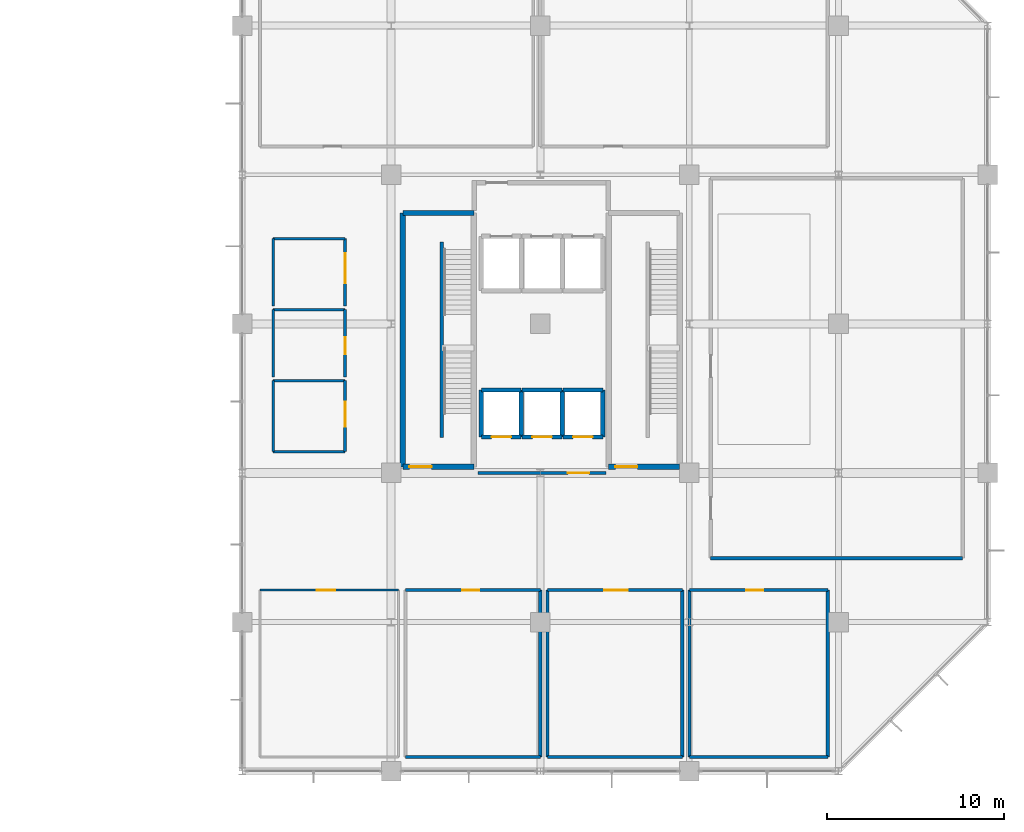
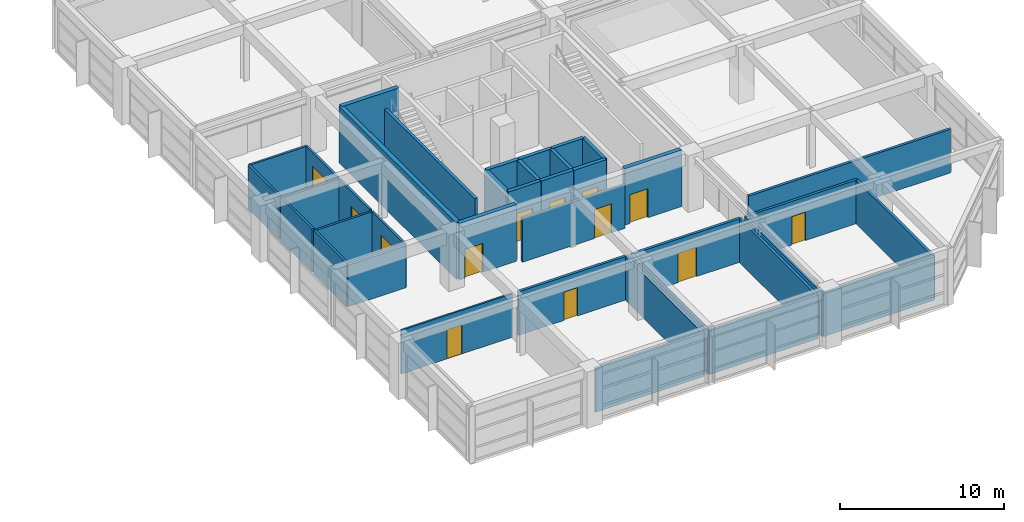
# One storey, part 16 of 19: 39 walls, 13 doors, 13 openings.
"""IFC4 building model written with IfcOpenShell, lengths in metres."""

from ifc_helpers import new_model, si_unit, direction, frame, frame_2d, origin, place, context, subcontext, project, spatial, rectangle, extrude, material, layer, layer_set, type_object, element, fill, save


model = new_model("IFC4")

# Units and contexts
model_context = context("Model", 3, precision=1e-05, world=origin(), true_north=direction((0.0, 1.0)))
body_context = subcontext(model_context, "Body", "Model", "MODEL_VIEW")
ifc_project = project(units=[si_unit("LENGTHUNIT", "METRE"), si_unit("AREAUNIT", "SQUARE_METRE"), si_unit("VOLUMEUNIT", "CUBIC_METRE"), si_unit("PLANEANGLEUNIT", "RADIAN"), si_unit("MASSUNIT", "GRAM", prefix="KILO")], contexts=[model_context])

# Site, building, storey
site_placement = place(None, origin())
site = spatial("IfcSite", under=ifc_project, at=site_placement, CompositionType="ELEMENT")
building_placement = place(site_placement, origin())
building = spatial("IfcBuilding", under=site, at=building_placement, Name="Xuanlan Plaza Opera House", CompositionType="ELEMENT")
storey_placement = place(building_placement, frame((0.0, 0.0, 36.300048828125)))
storey = spatial("IfcBuildingStorey", under=building, at=storey_placement, Name="L08", CompositionType="ELEMENT", Elevation=36.300048828125)

# Wall, opening, door
ifc_material_1 = material(Name="Gypsum Board and Galvanised Steel Studs", Category="gypsum")
ifc_layer_1 = layer(ifc_material_1, 0.179931640625)
ifc_layer_set_1 = layer_set([ifc_layer_1], Name="Gypsum Board and Galvanised Steel Studs")
wall_type_1 = type_object("IfcWallType", Name="INT-WL-PW-02", PredefinedType="PARTITIONING", material=ifc_layer_set_1)
wall_1_placement = place(storey_placement, frame((139.300048828125, 50.39990234375, 0.0), z_axis=(0.0, 0.0, 1.0), x_axis=(1.0, 0.0, 0.0)))
wall_1 = element("IfcWall", 1, at=wall_1_placement, inside=storey, type_object=wall_type_1, Name="Tower Lift Lobby Wall South", PredefinedType="PARTITIONING", context=body_context, shape_type="SweptSolid", body=[
    extrude(rectangle(XDim=7.199951171875, YDim=0.179931640625, at=frame_2d((3.60009765625, 0.0))), origin(), (0.0, 0.0, 1.0), 3.239990234375),
])
opening_1_placement = place(wall_1_placement, frame((5.050048828125, 0.0, 0.0)))
opening_1 = element("IfcOpeningElement", 2, at=opening_1_placement, cuts=wall_1, Name="Opening FD-02", PredefinedType="OPENING", context=body_context, shape_type="SweptSolid", body=[
    extrude(rectangle(XDim=1.199951171875, YDim=2.14990234375, at=frame_2d((0.60009765625, 1.074951171875))), frame((0.0, 0.099853515625, 0.0), z_axis=(0.0, -1.0, 0.0), x_axis=(1.0, 0.0, 0.0)), (0.0, 0.0, 1.0), 0.199951171875),
])
ifc_material_2 = material(Name="Galvanised Steel Q235B", Category="steel")
door_type_1 = type_object("IfcDoorType", Name="INT-DR-FD-02", OperationType="NOTDEFINED", PredefinedType="DOOR", material=ifc_material_2)
door_1_placement = place(opening_1_placement, frame((1.199951171875, 0.0, 0.0), z_axis=(0.0, 0.0, 1.0), x_axis=(-1.0, 0.0, 0.0)))
door_1 = element("IfcDoor", 3, at=door_1_placement, inside=storey, type_object=door_type_1, Name="Tower Lift Lobby Door 1", OperationType="SINGLE_SWING_RIGHT", OverallHeight=2.14990234375, OverallWidth=1.199951171875, PredefinedType="DOOR", context=body_context, shape_type="SweptSolid", body=[
    extrude(rectangle(XDim=1.199951171875, YDim=2.14990234375, at=frame_2d((0.60009765625, 1.074951171875))), frame((0.0, 0.02490234375, 0.0), z_axis=(0.0, -1.0, 0.0), x_axis=(1.0, 0.0, 0.0)), (0.0, 0.0, 1.0), 0.050048828125),
])
fill(opening_1, door_1)

# Walls
wall_2_placement = place(storey_placement, frame((152.39990234375, 45.60009765625, 0.0), z_axis=(0.0, 0.0, 1.0), x_axis=(1.0, 0.0, 0.0)))
element("IfcWall", 4, at=wall_2_placement, inside=storey, type_object=wall_type_1, Name="Performing Arts Production Studio Wall South", PredefinedType="PARTITIONING", context=body_context, shape_type="SweptSolid", body=[
    extrude(rectangle(XDim=14.2001953125, YDim=0.179931640625, at=frame_2d((7.10009765625, 0.0))), origin(), (0.0, 0.0, 1.0), 3.239990234375),
])
wall_3_placement = place(storey_placement, frame((135.199951171875, 34.39990234375, 0.0), z_axis=(0.0, 0.0, 1.0), x_axis=(1.0, 0.0, 0.0)))
element("IfcWall", 5, at=wall_3_placement, inside=storey, type_object=wall_type_1, Name="Cultural Administration Office 2 Wall South", PredefinedType="PARTITIONING", context=body_context, shape_type="SweptSolid", body=[
    extrude(rectangle(XDim=7.60009765625, YDim=0.179931640625, at=frame_2d((3.800048828125, 0.0))), origin(), (0.0, 0.0, 1.0), 3.239990234375),
])

# Wall, opening, door
wall_4_placement = place(storey_placement, frame((135.199951171875, 43.800048828125, 0.0), z_axis=(0.0, 0.0, 1.0), x_axis=(1.0, 0.0, 0.0)))
wall_4 = element("IfcWall", 6, at=wall_4_placement, inside=storey, type_object=wall_type_1, Name="Cultural Administration Office 2 Wall North", PredefinedType="PARTITIONING", context=body_context, shape_type="SweptSolid", body=[
    extrude(rectangle(XDim=7.60009765625, YDim=0.179931640625, at=frame_2d((3.800048828125, 0.0))), origin(), (0.0, 0.0, 1.0), 3.239990234375),
])
opening_2_placement = place(wall_4_placement, frame((3.199951171875, 0.0, 0.0)))
opening_2 = element("IfcOpeningElement", 7, at=opening_2_placement, cuts=wall_4, Name="Opening D-01", PredefinedType="OPENING", context=body_context, shape_type="SweptSolid", body=[
    extrude(rectangle(XDim=0.949951171875, YDim=2.10009765625, at=frame_2d((0.47509765625, 1.050048828125))), frame((0.0, 0.099853515625, 0.0), z_axis=(0.0, -1.0, 0.0), x_axis=(1.0, 0.0, 0.0)), (0.0, 0.0, 1.0), 0.199951171875),
])
ifc_material_3 = material(Name="Walnut Hardwood Timber", Category="wood")
door_type_2 = type_object("IfcDoorType", Name="INT-DR-D-01", OperationType="NOTDEFINED", PredefinedType="DOOR", material=ifc_material_3)
door_2_placement = place(opening_2_placement, origin())
door_2 = element("IfcDoor", 8, at=door_2_placement, inside=storey, type_object=door_type_2, Name="Cultural Administration Office 2 Door 1", OperationType="SINGLE_SWING_RIGHT", OverallHeight=2.10009765625, OverallWidth=0.949951171875, PredefinedType="DOOR", context=body_context, shape_type="SweptSolid", body=[
    extrude(rectangle(XDim=0.949951171875, YDim=2.10009765625, at=frame_2d((0.47509765625, 1.050048828125))), frame((0.0, 0.02490234375, 0.0), z_axis=(0.0, -1.0, 0.0), x_axis=(1.0, 0.0, 0.0)), (0.0, 0.0, 1.0), 0.050048828125),
])
fill(opening_2, door_2)

# Walls
wall_5_placement = place(storey_placement, frame((142.800048828125, 34.39990234375, 0.0), z_axis=(0.0, 0.0, 1.0), x_axis=(0.0, 1.0, 0.0)))
element("IfcWall", 9, at=wall_5_placement, inside=storey, type_object=wall_type_1, Name="Cultural Administration Office 2 Wall East", PredefinedType="PARTITIONING", context=body_context, shape_type="SweptSolid", body=[
    extrude(rectangle(XDim=9.400146484375, YDim=0.179931640625, at=frame_2d((4.7001953125, 0.0))), origin(), (0.0, 0.0, 1.0), 3.239990234375),
])
wall_6_placement = place(storey_placement, frame((143.199951171875, 34.39990234375, 0.0), z_axis=(0.0, 0.0, 1.0), x_axis=(1.0, 0.0, 0.0)))
element("IfcWall", 10, at=wall_6_placement, inside=storey, type_object=wall_type_1, Name="Cultural Administration Office 3 Wall South", PredefinedType="PARTITIONING", context=body_context, shape_type="SweptSolid", body=[
    extrude(rectangle(XDim=7.60009765625, YDim=0.179931640625, at=frame_2d((3.800048828125, 0.0))), origin(), (0.0, 0.0, 1.0), 3.239990234375),
])

# Wall, opening, door
wall_7_placement = place(storey_placement, frame((143.199951171875, 43.800048828125, 0.0), z_axis=(0.0, 0.0, 1.0), x_axis=(1.0, 0.0, 0.0)))
wall_7 = element("IfcWall", 11, at=wall_7_placement, inside=storey, type_object=wall_type_1, Name="Cultural Administration Office 3 Wall North", PredefinedType="PARTITIONING", context=body_context, shape_type="SweptSolid", body=[
    extrude(rectangle(XDim=7.60009765625, YDim=0.179931640625, at=frame_2d((3.800048828125, 0.0))), origin(), (0.0, 0.0, 1.0), 3.239990234375),
])
opening_3_placement = place(wall_7_placement, frame((3.199951171875, 0.0, 0.0)))
opening_3 = element("IfcOpeningElement", 12, at=opening_3_placement, cuts=wall_7, Name="Opening D-07", PredefinedType="OPENING", context=body_context, shape_type="SweptSolid", body=[
    extrude(rectangle(XDim=1.320068359375, YDim=2.179931640625, at=frame_2d((0.66015625, 1.08984375))), frame((0.0, 0.099853515625, 0.0), z_axis=(0.0, -1.0, 0.0), x_axis=(1.0, 0.0, 0.0)), (0.0, 0.0, 1.0), 0.199951171875),
])
door_type_3 = type_object("IfcDoorType", Name="INT-DR-D-07", OperationType="NOTDEFINED", PredefinedType="DOOR", material=ifc_material_3)
door_3_placement = place(opening_3_placement, origin())
door_3 = element("IfcDoor", 13, at=door_3_placement, inside=storey, type_object=door_type_3, Name="Cultural Administration Office 3 Door 1", OperationType="SINGLE_SWING_LEFT", OverallHeight=2.179931640625, OverallWidth=1.320068359375, PredefinedType="DOOR", context=body_context, shape_type="SweptSolid", body=[
    extrude(rectangle(XDim=1.320068359375, YDim=2.179931640625, at=frame_2d((0.66015625, 1.08984375))), frame((0.0, 0.02490234375, 0.0), z_axis=(0.0, -1.0, 0.0), x_axis=(1.0, 0.0, 0.0)), (0.0, 0.0, 1.0), 0.050048828125),
])
fill(opening_3, door_3)

# Walls
for number, where, z_axis, x_axis, name in (
    (14, (143.199951171875, 34.39990234375, 0.0), (0.0, 0.0, 1.0), (0.0, 1.0, 0.0), "Cultural Administration Office 3 Wall West"),
    (15, (150.800048828125, 34.39990234375, 0.0), (0.0, 0.0, 1.0), (0.0, 1.0, 0.0), "Cultural Administration Office 3 Wall East"),
):
    element("IfcWall", number, at=place(storey_placement, frame(where, z_axis=z_axis, x_axis=x_axis)), inside=storey, type_object=wall_type_1, Name=name, PredefinedType="PARTITIONING", context=body_context, shape_type="SweptSolid", body=[
        extrude(rectangle(XDim=9.400146484375, YDim=0.179931640625, at=frame_2d((4.7001953125, 0.0))), origin(), (0.0, 0.0, 1.0), 3.239990234375),
    ])
wall_8_placement = place(storey_placement, frame((151.199951171875, 34.39990234375, 0.0), z_axis=(0.0, 0.0, 1.0), x_axis=(1.0, 0.0, 0.0)))
element("IfcWall", 16, at=wall_8_placement, inside=storey, type_object=wall_type_1, Name="Cultural Administration Office 4 Wall South", PredefinedType="PARTITIONING", context=body_context, shape_type="SweptSolid", body=[
    extrude(rectangle(XDim=7.800048828125, YDim=0.179931640625, at=frame_2d((3.89990234375, 0.0))), origin(), (0.0, 0.0, 1.0), 3.239990234375),
])

# Wall, opening, door
wall_9_placement = place(storey_placement, frame((151.199951171875, 43.800048828125, 0.0), z_axis=(0.0, 0.0, 1.0), x_axis=(1.0, 0.0, 0.0)))
wall_9 = element("IfcWall", 17, at=wall_9_placement, inside=storey, type_object=wall_type_1, Name="Cultural Administration Office 4 Wall North", PredefinedType="PARTITIONING", context=body_context, shape_type="SweptSolid", body=[
    extrude(rectangle(XDim=7.800048828125, YDim=0.179931640625, at=frame_2d((3.89990234375, 0.0))), origin(), (0.0, 0.0, 1.0), 3.239990234375),
])
opening_4_placement = place(wall_9_placement, frame((3.199951171875, 0.0, 0.0)))
opening_4 = element("IfcOpeningElement", 18, at=opening_4_placement, cuts=wall_9, Name="Opening D-01", PredefinedType="OPENING", context=body_context, shape_type="SweptSolid", body=[
    extrude(rectangle(XDim=0.949951171875, YDim=2.10009765625, at=frame_2d((0.47509765625, 1.050048828125))), frame((0.0, 0.099853515625, 0.0), z_axis=(0.0, -1.0, 0.0), x_axis=(1.0, 0.0, 0.0)), (0.0, 0.0, 1.0), 0.199951171875),
])
door_4_placement = place(opening_4_placement, origin())
door_4 = element("IfcDoor", 19, at=door_4_placement, inside=storey, type_object=door_type_2, Name="Cultural Administration Office 4 Door 1", OperationType="SINGLE_SWING_RIGHT", OverallHeight=2.10009765625, OverallWidth=0.949951171875, PredefinedType="DOOR", context=body_context, shape_type="SweptSolid", body=[
    extrude(rectangle(XDim=0.949951171875, YDim=2.10009765625, at=frame_2d((0.47509765625, 1.050048828125))), frame((0.0, 0.02490234375, 0.0), z_axis=(0.0, -1.0, 0.0), x_axis=(1.0, 0.0, 0.0)), (0.0, 0.0, 1.0), 0.050048828125),
])
fill(opening_4, door_4)

# Walls
for number, where, z_axis, x_axis, name in (
    (20, (151.199951171875, 34.39990234375, 0.0), (0.0, 0.0, 1.0), (0.0, 1.0, 0.0), "Cultural Administration Office 4 Wall West"),
    (21, (159.0, 34.39990234375, 0.0), (0.0, 0.0, 1.0), (0.0, 1.0, 0.0), "Cultural Administration Office 4 Wall East"),
):
    element("IfcWall", number, at=place(storey_placement, frame(where, z_axis=z_axis, x_axis=x_axis)), inside=storey, type_object=wall_type_1, Name=name, PredefinedType="PARTITIONING", context=body_context, shape_type="SweptSolid", body=[
        extrude(rectangle(XDim=9.400146484375, YDim=0.179931640625, at=frame_2d((4.7001953125, 0.0))), origin(), (0.0, 0.0, 1.0), 3.239990234375),
    ])
ifc_material_4 = material(Name="Autoclaved Aerated Blockwork Masonry", Category="masonry")
ifc_layer_2 = layer(ifc_material_4, 0.14990234375)
ifc_layer_set_2 = layer_set([ifc_layer_2], Name="Autoclaved Aerated Blockwork Masonry")
wall_type_2 = type_object("IfcWallType", Name="INT-WL-PW-03", PredefinedType="PARTITIONING", material=ifc_layer_set_2)
for number, where, z_axis, x_axis, name in (
    (22, (127.75, 51.60009765625, 0.0), (0.0, 0.0, 1.0), (1.0, 0.0, 0.0), "Public WC Wall South"),
    (23, (127.75, 55.60009765625, 0.0), (0.0, 0.0, 1.0), (1.0, 0.0, 0.0), "Public WC Wall North"),
):
    element("IfcWall", number, at=place(storey_placement, frame(where, z_axis=z_axis, x_axis=x_axis)), inside=storey, type_object=wall_type_2, Name=name, PredefinedType="PARTITIONING", context=body_context, shape_type="SweptSolid", body=[
        extrude(rectangle(XDim=4.050048828125, YDim=0.14990234375, at=frame_2d((2.02490234375, 0.0))), origin(), (0.0, 0.0, 1.0), 3.239990234375),
    ])
wall_10_placement = place(storey_placement, frame((127.75, 51.60009765625, 0.0), z_axis=(0.0, 0.0, 1.0), x_axis=(0.0, 1.0, 0.0)))
element("IfcWall", 24, at=wall_10_placement, inside=storey, type_object=wall_type_2, Name="Public WC Wall West", PredefinedType="PARTITIONING", context=body_context, shape_type="SweptSolid", body=[
    extrude(rectangle(XDim=4.0, YDim=0.14990234375, at=frame_2d((2.0, 0.0))), origin(), (0.0, 0.0, 1.0), 3.239990234375),
])

# Wall, opening, door
wall_11_placement = place(storey_placement, frame((131.800048828125, 51.60009765625, 0.0), z_axis=(0.0, 0.0, 1.0), x_axis=(0.0, 1.0, 0.0)))
wall_11 = element("IfcWall", 25, at=wall_11_placement, inside=storey, type_object=wall_type_2, Name="Public WC Wall East", PredefinedType="PARTITIONING", context=body_context, shape_type="SweptSolid", body=[
    extrude(rectangle(XDim=4.0, YDim=0.14990234375, at=frame_2d((2.0, 0.0))), origin(), (0.0, 0.0, 1.0), 3.239990234375),
])
opening_5_placement = place(wall_11_placement, frame((1.39990234375, 0.0, 0.0)))
opening_5 = element("IfcOpeningElement", 26, at=opening_5_placement, cuts=wall_11, Name="Opening D-12", PredefinedType="OPENING", context=body_context, shape_type="SweptSolid", body=[
    extrude(rectangle(XDim=1.419921875, YDim=2.179931640625, at=frame_2d((0.7099609375, 1.08984375))), frame((0.0, 0.0849609375, 0.0), z_axis=(0.0, -1.0, 0.0), x_axis=(1.0, 0.0, 0.0)), (0.0, 0.0, 1.0), 0.169921875),
])
ifc_material_5 = material(Name="Oak Hardwood Timber", Category="wood")
door_type_4 = type_object("IfcDoorType", Name="INT-DR-D-12", OperationType="DOUBLE_DOOR_SINGLE_SWING", PredefinedType="DOOR", material=ifc_material_5)
door_5_placement = place(opening_5_placement, origin())
door_5 = element("IfcDoor", 27, at=door_5_placement, inside=storey, type_object=door_type_4, Name="Public WC Door 1", OperationType="DOUBLE_DOOR_SINGLE_SWING", OverallHeight=2.179931640625, OverallWidth=1.419921875, PredefinedType="DOOR", context=body_context, shape_type="SweptSolid", body=[
    extrude(rectangle(XDim=1.419921875, YDim=2.179931640625, at=frame_2d((0.7099609375, 1.08984375))), frame((0.0, 0.02490234375, 0.0), z_axis=(0.0, -1.0, 0.0), x_axis=(1.0, 0.0, 0.0)), (0.0, 0.0, 1.0), 0.050048828125),
])
fill(opening_5, door_5)

# Walls
wall_12_placement = place(storey_placement, frame((127.75, 59.60009765625, 0.0), z_axis=(0.0, 0.0, 1.0), x_axis=(1.0, 0.0, 0.0)))
element("IfcWall", 28, at=wall_12_placement, inside=storey, type_object=wall_type_2, Name="Staff WC Wall North", PredefinedType="PARTITIONING", context=body_context, shape_type="SweptSolid", body=[
    extrude(rectangle(XDim=4.050048828125, YDim=0.14990234375, at=frame_2d((2.02490234375, 0.0))), origin(), (0.0, 0.0, 1.0), 3.239990234375),
])
wall_13_placement = place(storey_placement, frame((127.75, 55.800048828125, 0.0), z_axis=(0.0, 0.0, 1.0), x_axis=(0.0, 1.0, 0.0)))
element("IfcWall", 29, at=wall_13_placement, inside=storey, type_object=wall_type_2, Name="Staff WC Wall West", PredefinedType="PARTITIONING", context=body_context, shape_type="SweptSolid", body=[
    extrude(rectangle(XDim=3.800048828125, YDim=0.14990234375, at=frame_2d((1.89990234375, 0.0))), origin(), (0.0, 0.0, 1.0), 3.239990234375),
])

# Wall, opening, door
wall_14_placement = place(storey_placement, frame((131.800048828125, 55.800048828125, 0.0), z_axis=(0.0, 0.0, 1.0), x_axis=(0.0, 1.0, 0.0)))
wall_14 = element("IfcWall", 30, at=wall_14_placement, inside=storey, type_object=wall_type_2, Name="Staff WC Wall East", PredefinedType="PARTITIONING", context=body_context, shape_type="SweptSolid", body=[
    extrude(rectangle(XDim=3.800048828125, YDim=0.14990234375, at=frame_2d((1.89990234375, 0.0))), origin(), (0.0, 0.0, 1.0), 3.239990234375),
])
opening_6_placement = place(wall_14_placement, frame((1.300048828125, 0.0, 0.0)))
opening_6 = element("IfcOpeningElement", 31, at=opening_6_placement, cuts=wall_14, Name="Opening D-01", PredefinedType="OPENING", context=body_context, shape_type="SweptSolid", body=[
    extrude(rectangle(XDim=0.949951171875, YDim=2.10009765625, at=frame_2d((0.47509765625, 1.050048828125))), frame((0.0, 0.0849609375, 0.0), z_axis=(0.0, -1.0, 0.0), x_axis=(1.0, 0.0, 0.0)), (0.0, 0.0, 1.0), 0.169921875),
])
door_6_placement = place(opening_6_placement, origin())
door_6 = element("IfcDoor", 32, at=door_6_placement, inside=storey, type_object=door_type_2, Name="Staff WC Door 1", OperationType="SINGLE_SWING_RIGHT", OverallHeight=2.10009765625, OverallWidth=0.949951171875, PredefinedType="DOOR", context=body_context, shape_type="SweptSolid", body=[
    extrude(rectangle(XDim=0.949951171875, YDim=2.10009765625, at=frame_2d((0.47509765625, 1.050048828125))), frame((0.0, 0.02490234375, 0.0), z_axis=(0.0, -1.0, 0.0), x_axis=(1.0, 0.0, 0.0)), (0.0, 0.0, 1.0), 0.050048828125),
])
fill(opening_6, door_6)

# Walls
wall_15_placement = place(storey_placement, frame((127.75, 63.60009765625, 0.0), z_axis=(0.0, 0.0, 1.0), x_axis=(1.0, 0.0, 0.0)))
element("IfcWall", 33, at=wall_15_placement, inside=storey, type_object=wall_type_2, Name="Accessible WC Wall North", PredefinedType="PARTITIONING", context=body_context, shape_type="SweptSolid", body=[
    extrude(rectangle(XDim=4.050048828125, YDim=0.14990234375, at=frame_2d((2.02490234375, 0.0))), origin(), (0.0, 0.0, 1.0), 3.239990234375),
])
wall_16_placement = place(storey_placement, frame((127.75, 59.800048828125, 0.0), z_axis=(0.0, 0.0, 1.0), x_axis=(0.0, 1.0, 0.0)))
element("IfcWall", 34, at=wall_16_placement, inside=storey, type_object=wall_type_2, Name="Accessible WC Wall West", PredefinedType="PARTITIONING", context=body_context, shape_type="SweptSolid", body=[
    extrude(rectangle(XDim=3.800048828125, YDim=0.14990234375, at=frame_2d((1.89990234375, 0.0))), origin(), (0.0, 0.0, 1.0), 3.239990234375),
])

# Wall, opening, door
wall_17_placement = place(storey_placement, frame((131.800048828125, 59.800048828125, 0.0), z_axis=(0.0, 0.0, 1.0), x_axis=(0.0, 1.0, 0.0)))
wall_17 = element("IfcWall", 35, at=wall_17_placement, inside=storey, type_object=wall_type_2, Name="Accessible WC Wall East", PredefinedType="PARTITIONING", context=body_context, shape_type="SweptSolid", body=[
    extrude(rectangle(XDim=3.800048828125, YDim=0.14990234375, at=frame_2d((1.89990234375, 0.0))), origin(), (0.0, 0.0, 1.0), 3.239990234375),
])
opening_7_placement = place(wall_17_placement, frame((1.300048828125, 0.0, 0.0)))
opening_7 = element("IfcOpeningElement", 36, at=opening_7_placement, cuts=wall_17, Name="Opening D-14", PredefinedType="OPENING", context=body_context, shape_type="SweptSolid", body=[
    extrude(rectangle(XDim=1.679931640625, YDim=2.239990234375, at=frame_2d((0.83984375, 1.1201171875))), frame((0.0, 0.0849609375, 0.0), z_axis=(0.0, -1.0, 0.0), x_axis=(1.0, 0.0, 0.0)), (0.0, 0.0, 1.0), 0.169921875),
])
door_type_5 = type_object("IfcDoorType", Name="INT-DR-D-14", OperationType="DOUBLE_DOOR_SINGLE_SWING", PredefinedType="DOOR", material=ifc_material_5)
door_7_placement = place(opening_7_placement, origin())
door_7 = element("IfcDoor", 37, at=door_7_placement, inside=storey, type_object=door_type_5, Name="Accessible WC Door 1", OperationType="DOUBLE_DOOR_SINGLE_SWING", OverallHeight=2.239990234375, OverallWidth=1.679931640625, PredefinedType="DOOR", context=body_context, shape_type="SweptSolid", body=[
    extrude(rectangle(XDim=1.679931640625, YDim=2.239990234375, at=frame_2d((0.83984375, 1.1201171875))), frame((0.0, 0.02490234375, 0.0), z_axis=(0.0, -1.0, 0.0), x_axis=(1.0, 0.0, 0.0)), (0.0, 0.0, 1.0), 0.050048828125),
])
fill(opening_7, door_7)

ifc_layer_3 = layer(ifc_material_1, 0.1201171875)
ifc_layer_set_3 = layer_set([ifc_layer_3], Name="Gypsum Board and Galvanised Steel Studs")
wall_type_3 = type_object("IfcWallType", Name="INT-WL-PW-04", PredefinedType="PARTITIONING", material=ifc_layer_set_3)
wall_18_placement = place(storey_placement, frame((127.0, 43.800048828125, 0.0), z_axis=(0.0, 0.0, 1.0), x_axis=(1.0, 0.0, 0.0)))
wall_18 = element("IfcWall", 38, at=wall_18_placement, inside=storey, type_object=wall_type_3, Name="Cultural Administration Office 1 Wall North", PredefinedType="PARTITIONING", context=body_context, shape_type="SweptSolid", body=[
    extrude(rectangle(XDim=7.800048828125, YDim=0.1201171875, at=frame_2d((3.89990234375, 0.0))), origin(), (0.0, 0.0, 1.0), 3.239990234375),
])
opening_8_placement = place(wall_18_placement, frame((3.199951171875, 0.0, 0.0)))
opening_8 = element("IfcOpeningElement", 39, at=opening_8_placement, cuts=wall_18, Name="Opening D-16", PredefinedType="OPENING", context=body_context, shape_type="SweptSolid", body=[
    extrude(rectangle(XDim=1.050048828125, YDim=2.159912109375, at=frame_2d((0.52490234375, 1.080078125))), frame((0.0, 0.070068359375, 0.0), z_axis=(0.0, -1.0, 0.0), x_axis=(1.0, 0.0, 0.0)), (0.0, 0.0, 1.0), 0.14013671875),
])
door_type_6 = type_object("IfcDoorType", Name="INT-DR-D-16", OperationType="NOTDEFINED", PredefinedType="DOOR", material=ifc_material_5)
door_8_placement = place(opening_8_placement, origin())
door_8 = element("IfcDoor", 40, at=door_8_placement, inside=storey, type_object=door_type_6, Name="Cultural Administration Office 1 Door 1", OperationType="SINGLE_SWING_LEFT", OverallHeight=2.159912109375, OverallWidth=1.050048828125, PredefinedType="DOOR", context=body_context, shape_type="SweptSolid", body=[
    extrude(rectangle(XDim=1.050048828125, YDim=2.159912109375, at=frame_2d((0.52490234375, 1.080078125))), frame((0.0, 0.02490234375, 0.0), z_axis=(0.0, -1.0, 0.0), x_axis=(1.0, 0.0, 0.0)), (0.0, 0.0, 1.0), 0.050048828125),
])
fill(opening_8, door_8)

ifc_material_6 = material(Name="Concrete C40", Category="concrete")
ifc_layer_4 = layer(ifc_material_6, 0.25)
ifc_layer_set_4 = layer_set([ifc_layer_4], Name="Concrete C40")
wall_type_4 = type_object("IfcWallType", Name="INT-WL-SW-LF1", PredefinedType="SHEAR", material=ifc_layer_set_4)
wall_19_placement = place(storey_placement, frame((139.47509765625, 52.425048828125, 0.0), z_axis=(0.0, 0.0, 1.0), x_axis=(1.0, 0.0, 0.0)))
wall_19 = element("IfcWall", 41, at=wall_19_placement, inside=storey, type_object=wall_type_4, Name="Lift Shaft Wall LF-P1 L08 South", PredefinedType="SHEAR", context=body_context, shape_type="SweptSolid", body=[
    extrude(rectangle(XDim=2.25, YDim=0.25, at=frame_2d((1.125, 0.0))), origin(), (0.0, 0.0, 1.0), 3.9599609375),
])
opening_9_placement = place(wall_19_placement, frame((0.574951171875, 0.0, 0.0)))
opening_9 = element("IfcOpeningElement", 42, at=opening_9_placement, cuts=wall_19, Name="Opening LD-P1-L08", PredefinedType="OPENING", context=body_context, shape_type="SweptSolid", body=[
    extrude(rectangle(XDim=1.10009765625, YDim=2.14990234375, at=frame_2d((0.550048828125, 1.074951171875))), frame((0.0, 0.135009765625, 0.0), z_axis=(0.0, -1.0, 0.0), x_axis=(1.0, 0.0, 0.0)), (0.0, 0.0, 1.0), 0.27001953125),
])
ifc_material_7 = material(Name="Stainless Steel S30408", Category="steel")
door_type_7 = type_object("IfcDoorType", Name="INT-DR-LD-01", OperationType="DOUBLE_DOOR_SLIDING", PredefinedType="DOOR", material=ifc_material_7)
door_9_placement = place(opening_9_placement, origin())
door_9 = element("IfcDoor", 43, at=door_9_placement, inside=storey, type_object=door_type_7, Name="Lift Sliding Landing Door LF-P1 L08", OperationType="DOUBLE_DOOR_SLIDING", OverallHeight=2.14990234375, OverallWidth=1.10009765625, PredefinedType="DOOR", context=body_context, shape_type="SweptSolid", body=[
    extrude(rectangle(XDim=1.10009765625, YDim=2.14990234375, at=frame_2d((0.550048828125, 1.074951171875))), frame((0.0, 0.02490234375, 0.0), z_axis=(0.0, -1.0, 0.0), x_axis=(1.0, 0.0, 0.0)), (0.0, 0.0, 1.0), 0.050048828125),
])
fill(opening_9, door_9)

# Walls
wall_20_placement = place(storey_placement, frame((139.47509765625, 55.074951171875, 0.0), z_axis=(0.0, 0.0, 1.0), x_axis=(1.0, 0.0, 0.0)))
element("IfcWall", 44, at=wall_20_placement, inside=storey, type_object=wall_type_4, Name="Lift Shaft Wall LF-P1 L08 North", PredefinedType="SHEAR", context=body_context, shape_type="SweptSolid", body=[
    extrude(rectangle(XDim=2.25, YDim=0.25, at=frame_2d((1.125, 0.0))), origin(), (0.0, 0.0, 1.0), 3.9599609375),
])
for number, where, z_axis, x_axis, name in (
    (45, (139.47509765625, 52.425048828125, 0.0), (0.0, 0.0, 1.0), (0.0, 1.0, 0.0), "Lift Shaft Wall LF-P1 L08 West"),
    (46, (141.72509765625, 52.425048828125, 0.0), (0.0, 0.0, 1.0), (0.0, 1.0, 0.0), "Lift Shaft Wall LF-P1 L08 East"),
):
    element("IfcWall", number, at=place(storey_placement, frame(where, z_axis=z_axis, x_axis=x_axis)), inside=storey, type_object=wall_type_4, Name=name, PredefinedType="SHEAR", context=body_context, shape_type="SweptSolid", body=[
        extrude(rectangle(XDim=2.64990234375, YDim=0.25, at=frame_2d((1.324951171875, 0.0))), origin(), (0.0, 0.0, 1.0), 3.9599609375),
    ])

# Wall, opening, door
wall_21_placement = place(storey_placement, frame((141.77490234375, 52.425048828125, 0.0), z_axis=(0.0, 0.0, 1.0), x_axis=(1.0, 0.0, 0.0)))
wall_21 = element("IfcWall", 47, at=wall_21_placement, inside=storey, type_object=wall_type_4, Name="Lift Shaft Wall LF-P2 L08 South", PredefinedType="SHEAR", context=body_context, shape_type="SweptSolid", body=[
    extrude(rectangle(XDim=2.25, YDim=0.25, at=frame_2d((1.125, 0.0))), origin(), (0.0, 0.0, 1.0), 3.9599609375),
])
opening_10_placement = place(wall_21_placement, frame((0.574951171875, 0.0, 0.0)))
opening_10 = element("IfcOpeningElement", 48, at=opening_10_placement, cuts=wall_21, Name="Opening LD-P2-L08", PredefinedType="OPENING", context=body_context, shape_type="SweptSolid", body=[
    extrude(rectangle(XDim=1.10009765625, YDim=2.14990234375, at=frame_2d((0.550048828125, 1.074951171875))), frame((0.0, 0.135009765625, 0.0), z_axis=(0.0, -1.0, 0.0), x_axis=(1.0, 0.0, 0.0)), (0.0, 0.0, 1.0), 0.27001953125),
])
door_10_placement = place(opening_10_placement, origin())
door_10 = element("IfcDoor", 49, at=door_10_placement, inside=storey, type_object=door_type_7, Name="Lift Sliding Landing Door LF-P2 L08", OperationType="DOUBLE_DOOR_SLIDING", OverallHeight=2.14990234375, OverallWidth=1.10009765625, PredefinedType="DOOR", context=body_context, shape_type="SweptSolid", body=[
    extrude(rectangle(XDim=1.10009765625, YDim=2.14990234375, at=frame_2d((0.550048828125, 1.074951171875))), frame((0.0, 0.02490234375, 0.0), z_axis=(0.0, -1.0, 0.0), x_axis=(1.0, 0.0, 0.0)), (0.0, 0.0, 1.0), 0.050048828125),
])
fill(opening_10, door_10)

# Walls
wall_22_placement = place(storey_placement, frame((141.77490234375, 55.074951171875, 0.0), z_axis=(0.0, 0.0, 1.0), x_axis=(1.0, 0.0, 0.0)))
element("IfcWall", 50, at=wall_22_placement, inside=storey, type_object=wall_type_4, Name="Lift Shaft Wall LF-P2 L08 North", PredefinedType="SHEAR", context=body_context, shape_type="SweptSolid", body=[
    extrude(rectangle(XDim=2.25, YDim=0.25, at=frame_2d((1.125, 0.0))), origin(), (0.0, 0.0, 1.0), 3.9599609375),
])
wall_23_placement = place(storey_placement, frame((144.02490234375, 52.425048828125, 0.0), z_axis=(0.0, 0.0, 1.0), x_axis=(0.0, 1.0, 0.0)))
element("IfcWall", 51, at=wall_23_placement, inside=storey, type_object=wall_type_4, Name="Lift Shaft Wall LF-P2 L08 East", PredefinedType="SHEAR", context=body_context, shape_type="SweptSolid", body=[
    extrude(rectangle(XDim=2.64990234375, YDim=0.25, at=frame_2d((1.324951171875, 0.0))), origin(), (0.0, 0.0, 1.0), 3.9599609375),
])

# Wall, opening, door
wall_24_placement = place(storey_placement, frame((144.074951171875, 52.425048828125, 0.0), z_axis=(0.0, 0.0, 1.0), x_axis=(1.0, 0.0, 0.0)))
wall_24 = element("IfcWall", 52, at=wall_24_placement, inside=storey, type_object=wall_type_4, Name="Lift Shaft Wall LF-P3 L08 South", PredefinedType="SHEAR", context=body_context, shape_type="SweptSolid", body=[
    extrude(rectangle(XDim=2.25, YDim=0.25, at=frame_2d((1.125, 0.0))), origin(), (0.0, 0.0, 1.0), 3.9599609375),
])
opening_11_placement = place(wall_24_placement, frame((0.574951171875, 0.0, 0.0)))
opening_11 = element("IfcOpeningElement", 53, at=opening_11_placement, cuts=wall_24, Name="Opening LD-P3-L08", PredefinedType="OPENING", context=body_context, shape_type="SweptSolid", body=[
    extrude(rectangle(XDim=1.10009765625, YDim=2.14990234375, at=frame_2d((0.550048828125, 1.074951171875))), frame((0.0, 0.135009765625, 0.0), z_axis=(0.0, -1.0, 0.0), x_axis=(1.0, 0.0, 0.0)), (0.0, 0.0, 1.0), 0.27001953125),
])
door_11_placement = place(opening_11_placement, origin())
door_11 = element("IfcDoor", 54, at=door_11_placement, inside=storey, type_object=door_type_7, Name="Lift Sliding Landing Door LF-P3 L08", OperationType="DOUBLE_DOOR_SLIDING", OverallHeight=2.14990234375, OverallWidth=1.10009765625, PredefinedType="DOOR", context=body_context, shape_type="SweptSolid", body=[
    extrude(rectangle(XDim=1.10009765625, YDim=2.14990234375, at=frame_2d((0.550048828125, 1.074951171875))), frame((0.0, 0.02490234375, 0.0), z_axis=(0.0, -1.0, 0.0), x_axis=(1.0, 0.0, 0.0)), (0.0, 0.0, 1.0), 0.050048828125),
])
fill(opening_11, door_11)

# Walls
wall_25_placement = place(storey_placement, frame((144.074951171875, 55.074951171875, 0.0), z_axis=(0.0, 0.0, 1.0), x_axis=(1.0, 0.0, 0.0)))
element("IfcWall", 55, at=wall_25_placement, inside=storey, type_object=wall_type_4, Name="Lift Shaft Wall LF-P3 L08 North", PredefinedType="SHEAR", context=body_context, shape_type="SweptSolid", body=[
    extrude(rectangle(XDim=2.25, YDim=0.25, at=frame_2d((1.125, 0.0))), origin(), (0.0, 0.0, 1.0), 3.9599609375),
])
wall_26_placement = place(storey_placement, frame((146.324951171875, 52.425048828125, 0.0), z_axis=(0.0, 0.0, 1.0), x_axis=(0.0, 1.0, 0.0)))
element("IfcWall", 56, at=wall_26_placement, inside=storey, type_object=wall_type_4, Name="Lift Shaft Wall LF-P3 L08 East", PredefinedType="SHEAR", context=body_context, shape_type="SweptSolid", body=[
    extrude(rectangle(XDim=2.64990234375, YDim=0.25, at=frame_2d((1.324951171875, 0.0))), origin(), (0.0, 0.0, 1.0), 3.9599609375),
])
ifc_layer_5 = layer(ifc_material_6, 0.199951171875)
ifc_layer_set_5 = layer_set([ifc_layer_5], Name="Concrete C40")
wall_type_5 = type_object("IfcWallType", Name="INT-WL-SW-SPN", PredefinedType="SHEAR", material=ifc_layer_set_5)
wall_27_placement = place(storey_placement, frame((137.25, 52.39990234375, 0.0), z_axis=(0.0, 0.0, 1.0), x_axis=(0.0, 1.0, 0.0)))
element("IfcWall", 57, at=wall_27_placement, inside=storey, type_object=wall_type_5, Name="Stair Structural Spine Wall ST-T1 L08", PredefinedType="SHEAR", context=body_context, shape_type="SweptSolid", body=[
    extrude(rectangle(XDim=11.0, YDim=0.199951171875, at=frame_2d((5.5, 0.0))), origin(), (0.0, 0.0, 1.0), 4.199951171875),
])

# Wall, opening, door
ifc_layer_6 = layer(ifc_material_6, 0.300048828125)
ifc_layer_set_6 = layer_set([ifc_layer_6], Name="Concrete C40")
wall_type_6 = type_object("IfcWallType", Name="INT-WL-SW-ST1", PredefinedType="SHEAR", material=ifc_layer_set_6)
wall_28_placement = place(storey_placement, frame((135.050048828125, 50.75, 0.0), z_axis=(0.0, 0.0, 1.0), x_axis=(1.0, 0.0, 0.0)))
wall_28 = element("IfcWall", 58, at=wall_28_placement, inside=storey, type_object=wall_type_6, Name="Stair Core Wall ST-T1 L08 South", PredefinedType="SHEAR", context=body_context, shape_type="SweptSolid", body=[
    extrude(rectangle(XDim=4.0, YDim=0.300048828125, at=frame_2d((2.0, 0.0))), origin(), (0.0, 0.0, 1.0), 4.199951171875),
])
opening_12_placement = place(wall_28_placement, frame((0.375, 0.0, 0.0)))
opening_12 = element("IfcOpeningElement", 59, at=opening_12_placement, cuts=wall_28, Name="Opening FD-ST1", PredefinedType="OPENING", context=body_context, shape_type="SweptSolid", body=[
    extrude(rectangle(XDim=1.25, YDim=2.14990234375, at=frame_2d((0.625, 1.074951171875))), frame((0.0, 0.159912109375, 0.0), z_axis=(0.0, -1.0, 0.0), x_axis=(1.0, 0.0, 0.0)), (0.0, 0.0, 1.0), 0.320068359375),
])
door_type_8 = type_object("IfcDoorType", Name="INT-DR-FD-ST1", OperationType="NOTDEFINED", PredefinedType="DOOR", material=ifc_material_2)
door_12_placement = place(opening_12_placement, origin())
door_12 = element("IfcDoor", 60, at=door_12_placement, inside=storey, type_object=door_type_8, Name="Stair Enclosure Fire Door ST-T1 L08", OperationType="SINGLE_SWING_LEFT", OverallHeight=2.14990234375, OverallWidth=1.25, PredefinedType="DOOR", context=body_context, shape_type="SweptSolid", body=[
    extrude(rectangle(XDim=1.25, YDim=2.14990234375, at=frame_2d((0.625, 1.074951171875))), frame((0.0, 0.02490234375, 0.0), z_axis=(0.0, -1.0, 0.0), x_axis=(1.0, 0.0, 0.0)), (0.0, 0.0, 1.0), 0.050048828125),
])
fill(opening_12, door_12)

# Walls
wall_29_placement = place(storey_placement, frame((135.050048828125, 65.050048828125, 0.0), z_axis=(0.0, 0.0, 1.0), x_axis=(1.0, 0.0, 0.0)))
element("IfcWall", 61, at=wall_29_placement, inside=storey, type_object=wall_type_6, Name="Stair Core Wall ST-T1 L08 North", PredefinedType="SHEAR", context=body_context, shape_type="SweptSolid", body=[
    extrude(rectangle(XDim=4.0, YDim=0.300048828125, at=frame_2d((2.0, 0.0))), origin(), (0.0, 0.0, 1.0), 4.199951171875),
])
wall_30_placement = place(storey_placement, frame((135.050048828125, 50.75, 0.0), z_axis=(0.0, 0.0, 1.0), x_axis=(0.0, 1.0, 0.0)))
element("IfcWall", 62, at=wall_30_placement, inside=storey, type_object=wall_type_6, Name="Stair Core Wall ST-T1 L08 West", PredefinedType="SHEAR", context=body_context, shape_type="SweptSolid", body=[
    extrude(rectangle(XDim=14.300048828125, YDim=0.300048828125, at=frame_2d((7.14990234375, 0.0))), origin(), (0.0, 0.0, 1.0), 4.199951171875),
])

# Wall, opening, door
wall_31_placement = place(storey_placement, frame((146.64990234375, 50.75, 0.0), z_axis=(0.0, 0.0, 1.0), x_axis=(1.0, 0.0, 0.0)))
wall_31 = element("IfcWall", 63, at=wall_31_placement, inside=storey, type_object=wall_type_6, Name="Stair Core Wall ST-T2 L08 South", PredefinedType="SHEAR", context=body_context, shape_type="SweptSolid", body=[
    extrude(rectangle(XDim=4.0, YDim=0.300048828125, at=frame_2d((2.0, 0.0))), origin(), (0.0, 0.0, 1.0), 4.199951171875),
])
opening_13_placement = place(wall_31_placement, frame((0.375, 0.0, 0.0)))
opening_13 = element("IfcOpeningElement", 64, at=opening_13_placement, cuts=wall_31, Name="Opening FD-ST1", PredefinedType="OPENING", context=body_context, shape_type="SweptSolid", body=[
    extrude(rectangle(XDim=1.25, YDim=2.14990234375, at=frame_2d((0.625, 1.074951171875))), frame((0.0, 0.159912109375, 0.0), z_axis=(0.0, -1.0, 0.0), x_axis=(1.0, 0.0, 0.0)), (0.0, 0.0, 1.0), 0.320068359375),
])
door_13_placement = place(opening_13_placement, origin())
door_13 = element("IfcDoor", 65, at=door_13_placement, inside=storey, type_object=door_type_8, Name="Stair Enclosure Fire Door ST-T2 L08", OperationType="SINGLE_SWING_RIGHT", OverallHeight=2.14990234375, OverallWidth=1.25, PredefinedType="DOOR", context=body_context, shape_type="SweptSolid", body=[
    extrude(rectangle(XDim=1.25, YDim=2.14990234375, at=frame_2d((0.625, 1.074951171875))), frame((0.0, 0.02490234375, 0.0), z_axis=(0.0, -1.0, 0.0), x_axis=(1.0, 0.0, 0.0)), (0.0, 0.0, 1.0), 0.050048828125),
])
fill(opening_13, door_13)

save(model, "model.ifc")
